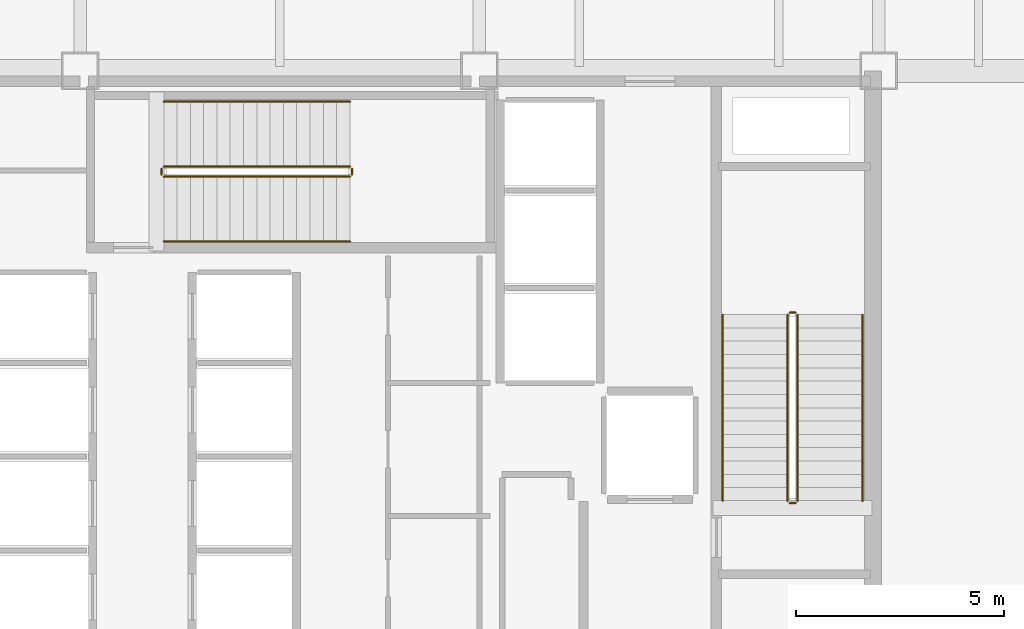
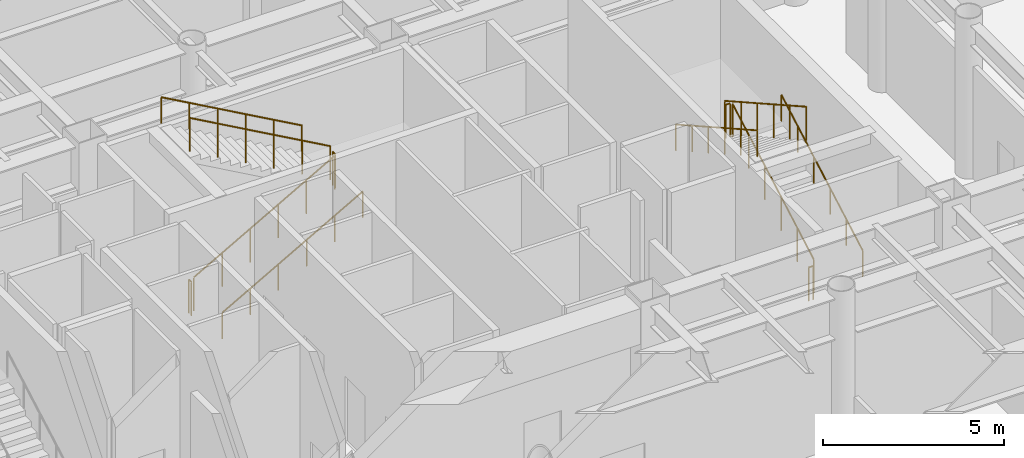
# One storey, part 17 of 17: 12 railings.
"""IFC4 building model written with IfcOpenShell, lengths in metres."""

from ifc_helpers import new_model, si_unit, direction, frame, origin, origin_2d, place, context, subcontext, project, spatial, circle, extrude, material, layer, layer_set, type_object, element, save


model = new_model("IFC4")

# Units and contexts
model_context = context("Model", 3, precision=1e-05, world=origin(), true_north=direction((0.0, 1.0)))
body_context = subcontext(model_context, "Body", "Model", "MODEL_VIEW")
ifc_project = project(units=[si_unit("LENGTHUNIT", "METRE"), si_unit("AREAUNIT", "SQUARE_METRE"), si_unit("VOLUMEUNIT", "CUBIC_METRE"), si_unit("PLANEANGLEUNIT", "RADIAN"), si_unit("MASSUNIT", "GRAM", prefix="KILO")], contexts=[model_context])

# Site, building, storey
site_placement = place(None, origin())
site = spatial("IfcSite", under=ifc_project, at=site_placement, CompositionType="ELEMENT")
building_placement = place(site_placement, origin())
building = spatial("IfcBuilding", under=site, at=building_placement, Name="Kallvorn Hotel Tower", CompositionType="ELEMENT")
storey_placement = place(building_placement, frame((0.0, 0.0, 19.199951171875)))
storey = spatial("IfcBuildingStorey", under=building, at=storey_placement, Name="L03", CompositionType="ELEMENT", Elevation=19.199951171875)

# Railings
ifc_material_1 = material(Name="Brushed stainless-steel tubular railing", Category="steel")
ifc_layer_1 = layer(ifc_material_1, 0.050048828125)
ifc_layer_set_1 = layer_set([ifc_layer_1], Name="RL_STAIR_GUARD")
railing_type_1 = type_object("IfcRailingType", Name="RL_STAIR_GUARD", PredefinedType="GUARDRAIL", material=ifc_layer_set_1)
railing_1_placement = place(storey_placement, frame((12.449951171875, -3.139892578125, 0.179931640625)))
element("IfcRailing", 1, at=railing_1_placement, inside=storey, type_object=railing_type_1, Name="L03 ST2 stair guard 1", PredefinedType="GUARDRAIL", context=body_context, shape_type="SweptSolid", body=[
    extrude(circle(Radius=0.02392578125, at=origin_2d()), frame((0.0, 0.0, 1.1259765625), z_axis=(0.0, 0.871573000172, 0.490265749743), x_axis=(-1.0, 0.0, 0.0)), (0.0, 0.0, 1.0), 5.14013671875),
    extrude(circle(Radius=0.02099609375, at=origin_2d()), origin(), (0.0, 0.0, 1.0), 1.101806640625),
    extrude(circle(Radius=0.02099609375, at=origin_2d()), frame((0.0, 0.89599609375, 0.50390625)), (0.0, 0.0, 1.0), 1.101806640625),
    extrude(circle(Radius=0.02099609375, at=origin_2d()), frame((0.0, 1.7919921875, 1.008056640625)), (0.0, 0.0, 1.0), 1.101806640625),
    extrude(circle(Radius=0.02099609375, at=origin_2d()), frame((0.0, 2.68798828125, 1.511962890625)), (0.0, 0.0, 1.0), 1.101806640625),
    extrude(circle(Radius=0.02099609375, at=origin_2d()), frame((0.0, 3.583984375, 2.01611328125)), (0.0, 0.0, 1.0), 1.101806640625),
    extrude(circle(Radius=0.02099609375, at=origin_2d()), frame((0.0, 4.47998046875, 2.52001953125)), (0.0, 0.0, 1.0), 1.101806640625),
])
railing_2_placement = place(storey_placement, frame((12.39990234375, 1.389892578125, 2.699951171875)))
element("IfcRailing", 2, at=railing_2_placement, inside=storey, type_object=railing_type_1, Name="L03 ST2 stair guard 2", PredefinedType="GUARDRAIL", context=body_context, shape_type="SweptSolid", body=[
    extrude(circle(Radius=0.02392578125, at=origin_2d()), frame((0.0, 0.0, 1.1259765625), z_axis=(-1.0, 0.0, 0.0), x_axis=(0.0, -1.0, 0.0)), (0.0, 0.0, 1.0), 0.139892578125),
    extrude(circle(Radius=0.02099609375, at=origin_2d()), origin(), (0.0, 0.0, 1.0), 1.101806640625),
    extrude(circle(Radius=0.02099609375, at=origin_2d()), frame((-0.139892578125, 0.0, 0.0)), (0.0, 0.0, 1.0), 1.101806640625),
])
railing_3_placement = place(storey_placement, frame((12.2099609375, 1.340087890625, 2.880126953125)))
element("IfcRailing", 3, at=railing_3_placement, inside=storey, type_object=railing_type_1, Name="L03 ST2 stair guard 3", PredefinedType="GUARDRAIL", context=body_context, shape_type="SweptSolid", body=[
    extrude(circle(Radius=0.02392578125, at=origin_2d()), frame((0.0, 0.0, 1.1259765625), z_axis=(0.0, -0.871573000172, 0.490265749743), x_axis=(1.0, 0.0, 0.0)), (0.0, 0.0, 1.0), 5.14013671875),
    extrude(circle(Radius=0.02099609375, at=origin_2d()), origin(), (0.0, 0.0, 1.0), 1.101806640625),
    extrude(circle(Radius=0.02099609375, at=origin_2d()), frame((0.0, -0.89599609375, 0.50390625)), (0.0, 0.0, 1.0), 1.101806640625),
    extrude(circle(Radius=0.02099609375, at=origin_2d()), frame((0.0, -1.7919921875, 1.008056640625)), (0.0, 0.0, 1.0), 1.101806640625),
    extrude(circle(Radius=0.02099609375, at=origin_2d()), frame((0.0, -2.68798828125, 1.511962890625)), (0.0, 0.0, 1.0), 1.101806640625),
    extrude(circle(Radius=0.02099609375, at=origin_2d()), frame((0.0, -3.583984375, 2.01611328125)), (0.0, 0.0, 1.0), 1.101806640625),
    extrude(circle(Radius=0.02099609375, at=origin_2d()), frame((0.0, -4.47998046875, 2.52001953125)), (0.0, 0.0, 1.0), 1.101806640625),
])
railing_4_placement = place(storey_placement, frame((12.39990234375, -3.18994140625, 0.0)))
element("IfcRailing", 4, at=railing_4_placement, inside=storey, type_object=railing_type_1, Name="L03 ST2 stair guard 4", PredefinedType="GUARDRAIL", context=body_context, shape_type="SweptSolid", body=[
    extrude(circle(Radius=0.02392578125, at=origin_2d()), frame((0.0, 0.0, 1.1259765625), z_axis=(-1.0, 0.0, 0.0), x_axis=(0.0, -1.0, 0.0)), (0.0, 0.0, 1.0), 0.139892578125),
    extrude(circle(Radius=0.02099609375, at=origin_2d()), origin(), (0.0, 0.0, 1.0), 1.101806640625),
    extrude(circle(Radius=0.02099609375, at=origin_2d()), frame((-0.139892578125, 0.0, 0.0)), (0.0, 0.0, 1.0), 1.101806640625),
])
railing_5_placement = place(storey_placement, frame((-2.7900390625, 4.659912109375, 0.179931640625)))
element("IfcRailing", 5, at=railing_5_placement, inside=storey, type_object=railing_type_1, Name="L03 ST3 stair guard 1", PredefinedType="GUARDRAIL", context=body_context, shape_type="SweptSolid", body=[
    extrude(circle(Radius=0.02392578125, at=origin_2d()), frame((0.0, 0.0, 1.1259765625), z_axis=(0.871573000172, 0.0, 0.490265749743), x_axis=(0.0, 1.0, 0.0)), (0.0, 0.0, 1.0), 5.14013671875),
    extrude(circle(Radius=0.02099609375, at=origin_2d()), origin(), (0.0, 0.0, 1.0), 1.101806640625),
    extrude(circle(Radius=0.02099609375, at=origin_2d()), frame((0.89599609375, 0.0, 0.50390625)), (0.0, 0.0, 1.0), 1.101806640625),
    extrude(circle(Radius=0.02099609375, at=origin_2d()), frame((1.7919921875, 0.0, 1.008056640625)), (0.0, 0.0, 1.0), 1.101806640625),
    extrude(circle(Radius=0.02099609375, at=origin_2d()), frame((2.68798828125, 0.0, 1.511962890625)), (0.0, 0.0, 1.0), 1.101806640625),
    extrude(circle(Radius=0.02099609375, at=origin_2d()), frame((3.583984375, 0.0, 2.01611328125)), (0.0, 0.0, 1.0), 1.101806640625),
    extrude(circle(Radius=0.02099609375, at=origin_2d()), frame((4.47998046875, 0.0, 2.52001953125)), (0.0, 0.0, 1.0), 1.101806640625),
])
railing_6_placement = place(storey_placement, frame((1.739990234375, 4.7099609375, 2.699951171875)))
element("IfcRailing", 6, at=railing_6_placement, inside=storey, type_object=railing_type_1, Name="L03 ST3 stair guard 2", PredefinedType="GUARDRAIL", context=body_context, shape_type="SweptSolid", body=[
    extrude(circle(Radius=0.02392578125, at=origin_2d()), frame((0.0, 0.0, 1.1259765625), z_axis=(0.0, 1.0, 0.0), x_axis=(-1.0, 0.0, 0.0)), (0.0, 0.0, 1.0), 0.14013671875),
    extrude(circle(Radius=0.02099609375, at=origin_2d()), origin(), (0.0, 0.0, 1.0), 1.101806640625),
    extrude(circle(Radius=0.02099609375, at=origin_2d()), frame((0.0, 0.14013671875, 0.0)), (0.0, 0.0, 1.0), 1.101806640625),
])
railing_7_placement = place(storey_placement, frame((1.68994140625, 4.89990234375, 2.880126953125)))
element("IfcRailing", 7, at=railing_7_placement, inside=storey, type_object=railing_type_1, Name="L03 ST3 stair guard 3", PredefinedType="GUARDRAIL", context=body_context, shape_type="SweptSolid", body=[
    extrude(circle(Radius=0.02392578125, at=origin_2d()), frame((0.0, 0.0, 1.1259765625), z_axis=(-0.871573000172, 0.0, 0.490265749743), x_axis=(0.0, -1.0, 0.0)), (0.0, 0.0, 1.0), 5.14013671875),
    extrude(circle(Radius=0.02099609375, at=origin_2d()), origin(), (0.0, 0.0, 1.0), 1.101806640625),
    extrude(circle(Radius=0.02099609375, at=origin_2d()), frame((-0.89599609375, 0.0, 0.50390625)), (0.0, 0.0, 1.0), 1.101806640625),
    extrude(circle(Radius=0.02099609375, at=origin_2d()), frame((-1.7919921875, 0.0, 1.008056640625)), (0.0, 0.0, 1.0), 1.101806640625),
    extrude(circle(Radius=0.02099609375, at=origin_2d()), frame((-2.68798828125, 0.0, 1.511962890625)), (0.0, 0.0, 1.0), 1.101806640625),
    extrude(circle(Radius=0.02099609375, at=origin_2d()), frame((-3.583984375, 0.0, 2.01611328125)), (0.0, 0.0, 1.0), 1.101806640625),
    extrude(circle(Radius=0.02099609375, at=origin_2d()), frame((-4.47998046875, 0.0, 2.52001953125)), (0.0, 0.0, 1.0), 1.101806640625),
])
railing_8_placement = place(storey_placement, frame((-2.840087890625, 4.7099609375, 0.0)))
element("IfcRailing", 8, at=railing_8_placement, inside=storey, type_object=railing_type_1, Name="L03 ST3 stair guard 4", PredefinedType="GUARDRAIL", context=body_context, shape_type="SweptSolid", body=[
    extrude(circle(Radius=0.02392578125, at=origin_2d()), frame((0.0, 0.0, 1.1259765625), z_axis=(0.0, 1.0, 0.0), x_axis=(-1.0, 0.0, 0.0)), (0.0, 0.0, 1.0), 0.14013671875),
    extrude(circle(Radius=0.02099609375, at=origin_2d()), origin(), (0.0, 0.0, 1.0), 1.101806640625),
    extrude(circle(Radius=0.02099609375, at=origin_2d()), frame((0.0, 0.14013671875, 0.0)), (0.0, 0.0, 1.0), 1.101806640625),
])
ifc_material_2 = material(Name="Brushed stainless-steel tubular railing", Category="steel")
ifc_layer_2 = layer(ifc_material_2, 0.050048828125)
ifc_layer_set_2 = layer_set([ifc_layer_2], Name="RL_STAIR_HAND")
railing_type_2 = type_object("IfcRailingType", Name="RL_STAIR_HAND", PredefinedType="HANDRAIL", material=ifc_layer_set_2)
railing_9_placement = place(storey_placement, frame((14.010009765625, -3.139892578125, 0.179931640625)))
element("IfcRailing", 9, at=railing_9_placement, inside=storey, type_object=railing_type_2, Name="L03 ST2 stair handrail 1", PredefinedType="HANDRAIL", context=body_context, shape_type="SweptSolid", body=[
    extrude(circle(Radius=0.02392578125, at=origin_2d()), frame((0.0, 0.0, 0.8759765625), z_axis=(0.0, 0.871573000172, 0.490265749743), x_axis=(-1.0, 0.0, 0.0)), (0.0, 0.0, 1.0), 5.14013671875),
    extrude(circle(Radius=0.02099609375, at=origin_2d()), origin(), (0.0, 0.0, 1.0), 0.851806640625),
    extrude(circle(Radius=0.02099609375, at=origin_2d()), frame((0.0, 0.89599609375, 0.50390625)), (0.0, 0.0, 1.0), 0.851806640625),
    extrude(circle(Radius=0.02099609375, at=origin_2d()), frame((0.0, 1.7919921875, 1.008056640625)), (0.0, 0.0, 1.0), 0.851806640625),
    extrude(circle(Radius=0.02099609375, at=origin_2d()), frame((0.0, 2.68798828125, 1.511962890625)), (0.0, 0.0, 1.0), 0.851806640625),
    extrude(circle(Radius=0.02099609375, at=origin_2d()), frame((0.0, 3.583984375, 2.01611328125)), (0.0, 0.0, 1.0), 0.851806640625),
    extrude(circle(Radius=0.02099609375, at=origin_2d()), frame((0.0, 4.47998046875, 2.52001953125)), (0.0, 0.0, 1.0), 0.851806640625),
])
railing_10_placement = place(storey_placement, frame((10.64990234375, 1.340087890625, 2.880126953125)))
element("IfcRailing", 10, at=railing_10_placement, inside=storey, type_object=railing_type_2, Name="L03 ST2 stair handrail 2", PredefinedType="HANDRAIL", context=body_context, shape_type="SweptSolid", body=[
    extrude(circle(Radius=0.02392578125, at=origin_2d()), frame((0.0, 0.0, 0.8759765625), z_axis=(0.0, -0.871573000172, 0.490265749743), x_axis=(1.0, 0.0, 0.0)), (0.0, 0.0, 1.0), 5.14013671875),
    extrude(circle(Radius=0.02099609375, at=origin_2d()), origin(), (0.0, 0.0, 1.0), 0.851806640625),
    extrude(circle(Radius=0.02099609375, at=origin_2d()), frame((0.0, -0.89599609375, 0.50390625)), (0.0, 0.0, 1.0), 0.851806640625),
    extrude(circle(Radius=0.02099609375, at=origin_2d()), frame((0.0, -1.7919921875, 1.008056640625)), (0.0, 0.0, 1.0), 0.851806640625),
    extrude(circle(Radius=0.02099609375, at=origin_2d()), frame((0.0, -2.68798828125, 1.511962890625)), (0.0, 0.0, 1.0), 0.851806640625),
    extrude(circle(Radius=0.02099609375, at=origin_2d()), frame((0.0, -3.583984375, 2.01611328125)), (0.0, 0.0, 1.0), 0.851806640625),
    extrude(circle(Radius=0.02099609375, at=origin_2d()), frame((0.0, -4.47998046875, 2.52001953125)), (0.0, 0.0, 1.0), 0.851806640625),
])
railing_11_placement = place(storey_placement, frame((-2.7900390625, 3.10009765625, 0.179931640625)))
element("IfcRailing", 11, at=railing_11_placement, inside=storey, type_object=railing_type_2, Name="L03 ST3 stair handrail 1", PredefinedType="HANDRAIL", context=body_context, shape_type="SweptSolid", body=[
    extrude(circle(Radius=0.02392578125, at=origin_2d()), frame((0.0, 0.0, 0.8759765625), z_axis=(0.871573000172, 0.0, 0.490265749743), x_axis=(0.0, 1.0, 0.0)), (0.0, 0.0, 1.0), 5.14013671875),
    extrude(circle(Radius=0.02099609375, at=origin_2d()), origin(), (0.0, 0.0, 1.0), 0.851806640625),
    extrude(circle(Radius=0.02099609375, at=origin_2d()), frame((0.89599609375, 0.0, 0.50390625)), (0.0, 0.0, 1.0), 0.851806640625),
    extrude(circle(Radius=0.02099609375, at=origin_2d()), frame((1.7919921875, 0.0, 1.008056640625)), (0.0, 0.0, 1.0), 0.851806640625),
    extrude(circle(Radius=0.02099609375, at=origin_2d()), frame((2.68798828125, 0.0, 1.511962890625)), (0.0, 0.0, 1.0), 0.851806640625),
    extrude(circle(Radius=0.02099609375, at=origin_2d()), frame((3.583984375, 0.0, 2.01611328125)), (0.0, 0.0, 1.0), 0.851806640625),
    extrude(circle(Radius=0.02099609375, at=origin_2d()), frame((4.47998046875, 0.0, 2.52001953125)), (0.0, 0.0, 1.0), 0.851806640625),
])
railing_12_placement = place(storey_placement, frame((1.68994140625, 6.4599609375, 2.880126953125)))
element("IfcRailing", 12, at=railing_12_placement, inside=storey, type_object=railing_type_2, Name="L03 ST3 stair handrail 2", PredefinedType="HANDRAIL", context=body_context, shape_type="SweptSolid", body=[
    extrude(circle(Radius=0.02392578125, at=origin_2d()), frame((0.0, 0.0, 0.8759765625), z_axis=(-0.871573000172, 0.0, 0.490265749743), x_axis=(0.0, -1.0, 0.0)), (0.0, 0.0, 1.0), 5.14013671875),
    extrude(circle(Radius=0.02099609375, at=origin_2d()), origin(), (0.0, 0.0, 1.0), 0.851806640625),
    extrude(circle(Radius=0.02099609375, at=origin_2d()), frame((-0.89599609375, 0.0, 0.50390625)), (0.0, 0.0, 1.0), 0.851806640625),
    extrude(circle(Radius=0.02099609375, at=origin_2d()), frame((-1.7919921875, 0.0, 1.008056640625)), (0.0, 0.0, 1.0), 0.851806640625),
    extrude(circle(Radius=0.02099609375, at=origin_2d()), frame((-2.68798828125, 0.0, 1.511962890625)), (0.0, 0.0, 1.0), 0.851806640625),
    extrude(circle(Radius=0.02099609375, at=origin_2d()), frame((-3.583984375, 0.0, 2.01611328125)), (0.0, 0.0, 1.0), 0.851806640625),
    extrude(circle(Radius=0.02099609375, at=origin_2d()), frame((-4.47998046875, 0.0, 2.52001953125)), (0.0, 0.0, 1.0), 0.851806640625),
])

save(model, "model.ifc")
